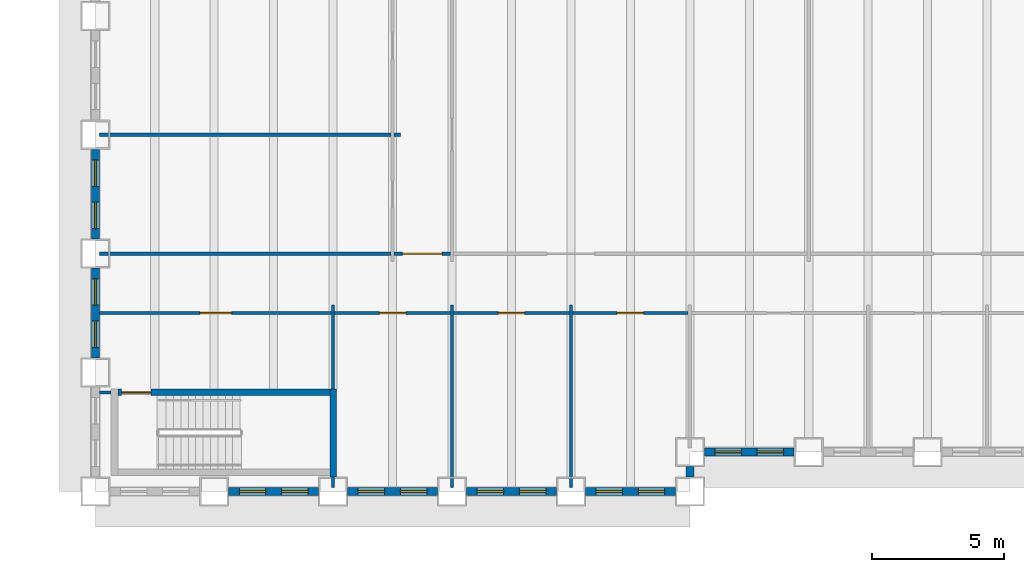
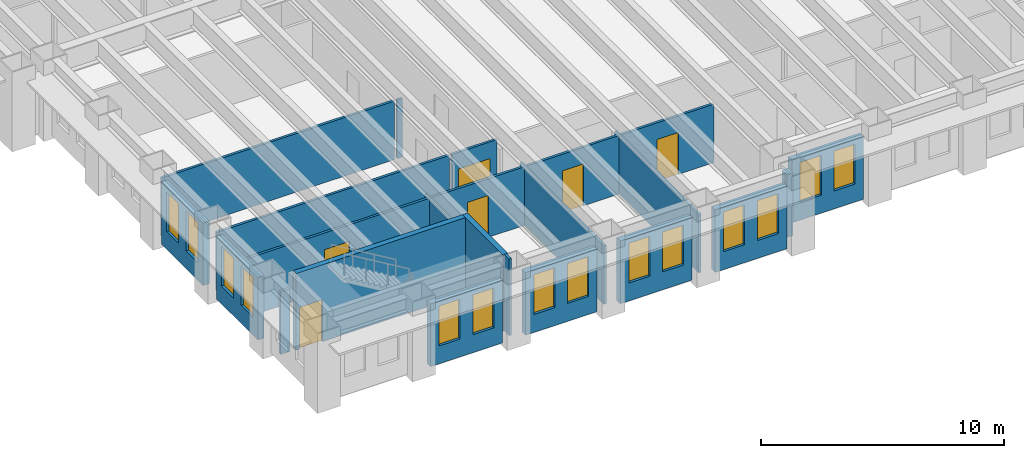
# One storey, part 3 of 16: 23 walls, 14 windows, 6 doors, 20 openings.
"""IFC4 building model written with IfcOpenShell, lengths in metres."""

from ifc_helpers import new_model, si_unit, direction, frame, frame_2d, origin, place, context, subcontext, project, spatial, rectangle, extrude, material, layer, layer_set, type_object, element, fill, save


model = new_model("IFC4")

# Units and contexts
model_context = context("Model", 3, precision=1e-05, world=origin(), true_north=direction((0.0, 1.0)))
body_context = subcontext(model_context, "Body", "Model", "MODEL_VIEW")
ifc_project = project(units=[si_unit("LENGTHUNIT", "METRE"), si_unit("AREAUNIT", "SQUARE_METRE"), si_unit("VOLUMEUNIT", "CUBIC_METRE"), si_unit("PLANEANGLEUNIT", "RADIAN"), si_unit("MASSUNIT", "GRAM", prefix="KILO")], contexts=[model_context])

# Site, building, storey
site_placement = place(None, origin())
site = spatial("IfcSite", under=ifc_project, at=site_placement, CompositionType="ELEMENT")
building_placement = place(site_placement, origin())
building = spatial("IfcBuilding", under=site, at=building_placement, Name="Sennacour Bend Tower", CompositionType="ELEMENT")
storey_placement = place(building_placement, frame((0.0, 0.0, 57.0)))
storey = spatial("IfcBuildingStorey", under=building, at=storey_placement, Name="L12", CompositionType="ELEMENT", Elevation=57.0)

# Walls
ifc_material_1 = material(Name="Plasterboard partition on steel studs", Category="steel")
ifc_layer_1 = layer(ifc_material_1, 0.1201171875, Name="Plasterboard partition on steel studs", Category="steel")
ifc_layer_set_1 = layer_set([ifc_layer_1], Name="Plasterboard partition on steel studs")
wall_type_1 = type_object("IfcWallType", Name="Partition 120", PredefinedType="PARTITIONING", material=ifc_layer_set_1)
wall_1_placement = place(storey_placement, frame((9.0, 0.14990234375, 0.0), z_axis=(0.0, 0.0, 1.0), x_axis=(0.0, 1.0, 0.0)))
element("IfcWall", 1, at=wall_1_placement, inside=storey, type_object=wall_type_1, Name="P-L12-W009a", PredefinedType="PARTITIONING", context=body_context, shape_type="SweptSolid", body=[
    extrude(rectangle(XDim=0.400146484375, YDim=0.1201171875, at=frame_2d((0.2001953125, 0.0))), origin(), (0.0, 0.0, 1.0), 3.85009765625),
])
wall_2_placement = place(storey_placement, frame((9.0, 3.875, 0.0), z_axis=(0.0, 0.0, 1.0), x_axis=(0.0, 1.0, 0.0)))
element("IfcWall", 2, at=wall_2_placement, inside=storey, type_object=wall_type_1, Name="P-L12-W011a", PredefinedType="PARTITIONING", context=body_context, shape_type="SweptSolid", body=[
    extrude(rectangle(XDim=3.175048828125, YDim=0.1201171875, at=frame_2d((1.58740234375, 0.0))), origin(), (0.0, 0.0, 1.0), 2.93798828125),
])
for number, where, z_axis, x_axis, name in (
    (3, (13.5, 0.14990234375, 0.0), (0.0, 0.0, 1.0), (0.0, 1.0, 0.0), "P-L12-W015a"),
    (4, (18.0, 0.14990234375, 0.0), (0.0, 0.0, 1.0), (0.0, 1.0, 0.0), "P-L12-W020a"),
):
    element("IfcWall", number, at=place(storey_placement, frame(where, z_axis=z_axis, x_axis=x_axis)), inside=storey, type_object=wall_type_1, Name=name, PredefinedType="PARTITIONING", context=body_context, shape_type="SweptSolid", body=[
        extrude(rectangle(XDim=6.900146484375, YDim=0.1201171875, at=frame_2d((3.4501953125, 0.0))), origin(), (0.0, 0.0, 1.0), 2.93798828125),
    ])
wall_3_placement = place(storey_placement, frame((0.14990234375, 3.75, 0.0), z_axis=(0.0, 0.0, 1.0), x_axis=(1.0, 0.0, 0.0)))
element("IfcWall", 5, at=wall_3_placement, inside=storey, type_object=wall_type_1, Name="P-L12-W051a", PredefinedType="PARTITIONING", context=body_context, shape_type="SweptSolid", body=[
    extrude(rectangle(XDim=0.4501953125, YDim=0.1201171875, at=frame_2d((0.22509765625, 0.0))), origin(), (0.0, 0.0, 1.0), 3.14404296875),
])

# Wall, opening, door
wall_4_placement = place(storey_placement, frame((9.06005859375, 6.75, 0.0), z_axis=(0.0, 0.0, 1.0), x_axis=(1.0, 0.0, 0.0)))
wall_4 = element("IfcWall", 6, at=wall_4_placement, inside=storey, type_object=wall_type_1, Name="P-L12-W057ab", PredefinedType="PARTITIONING", context=body_context, shape_type="SweptSolid", body=[
    extrude(rectangle(XDim=4.3798828125, YDim=0.1201171875, at=frame_2d((2.18994140625, 0.0))), origin(), (0.0, 0.0, 1.0), 2.93798828125),
])
opening_1_placement = place(wall_4_placement, frame((1.68994140625, 0.0, 0.0)))
opening_1 = element("IfcOpeningElement", 7, at=opening_1_placement, cuts=wall_4, Name="Opening OD2", PredefinedType="OPENING", context=body_context, shape_type="SweptSolid", body=[
    extrude(rectangle(XDim=1.0, YDim=2.10009765625, at=frame_2d((0.5, 1.050048828125))), frame((0.0, 0.070068359375, 0.0), z_axis=(0.0, -1.0, 0.0), x_axis=(1.0, 0.0, 0.0)), (0.0, 0.0, 1.0), 0.14013671875),
])
ifc_material_2 = material(Name="Timber", Category="wood")
door_type_1 = type_object("IfcDoorType", Name="DR-OFFICE-1000", OperationType="NOTDEFINED", PredefinedType="DOOR", material=ifc_material_2)
door_1_placement = place(opening_1_placement, origin())
door_1 = element("IfcDoor", 8, at=door_1_placement, inside=storey, type_object=door_type_1, Name="Door", OperationType="SINGLE_SWING_LEFT", OverallHeight=2.10009765625, OverallWidth=1.0, PredefinedType="DOOR", context=body_context, shape_type="SweptSolid", body=[
    extrude(rectangle(XDim=1.0, YDim=2.10009765625, at=frame_2d((0.5, 1.050048828125))), frame((0.0, 0.02490234375, 0.0), z_axis=(0.0, -1.0, 0.0), x_axis=(1.0, 0.0, 0.0)), (0.0, 0.0, 1.0), 0.050048828125),
])
fill(opening_1, door_1)

wall_5_placement = place(storey_placement, frame((13.56005859375, 6.75, 0.0), z_axis=(0.0, 0.0, 1.0), x_axis=(1.0, 0.0, 0.0)))
wall_5 = element("IfcWall", 9, at=wall_5_placement, inside=storey, type_object=wall_type_1, Name="P-L12-W057ac", PredefinedType="PARTITIONING", context=body_context, shape_type="SweptSolid", body=[
    extrude(rectangle(XDim=4.3798828125, YDim=0.1201171875, at=frame_2d((2.18994140625, 0.0))), origin(), (0.0, 0.0, 1.0), 2.93798828125),
])
opening_2_placement = place(wall_5_placement, frame((1.68994140625, 0.0, 0.0)))
opening_2 = element("IfcOpeningElement", 10, at=opening_2_placement, cuts=wall_5, Name="Opening OD2", PredefinedType="OPENING", context=body_context, shape_type="SweptSolid", body=[
    extrude(rectangle(XDim=1.0, YDim=2.10009765625, at=frame_2d((0.5, 1.050048828125))), frame((0.0, 0.070068359375, 0.0), z_axis=(0.0, -1.0, 0.0), x_axis=(1.0, 0.0, 0.0)), (0.0, 0.0, 1.0), 0.14013671875),
])
door_2_placement = place(opening_2_placement, origin())
door_2 = element("IfcDoor", 11, at=door_2_placement, inside=storey, type_object=door_type_1, Name="Door", OperationType="SINGLE_SWING_LEFT", OverallHeight=2.10009765625, OverallWidth=1.0, PredefinedType="DOOR", context=body_context, shape_type="SweptSolid", body=[
    extrude(rectangle(XDim=1.0, YDim=2.10009765625, at=frame_2d((0.5, 1.050048828125))), frame((0.0, 0.02490234375, 0.0), z_axis=(0.0, -1.0, 0.0), x_axis=(1.0, 0.0, 0.0)), (0.0, 0.0, 1.0), 0.050048828125),
])
fill(opening_2, door_2)

wall_6_placement = place(storey_placement, frame((18.06005859375, 6.75, 0.0), z_axis=(0.0, 0.0, 1.0), x_axis=(1.0, 0.0, 0.0)))
wall_6 = element("IfcWall", 12, at=wall_6_placement, inside=storey, type_object=wall_type_1, Name="P-L12-W057ad", PredefinedType="PARTITIONING", context=body_context, shape_type="SweptSolid", body=[
    extrude(rectangle(XDim=4.3798828125, YDim=0.1201171875, at=frame_2d((2.18994140625, 0.0))), origin(), (0.0, 0.0, 1.0), 2.93798828125),
])
opening_3_placement = place(wall_6_placement, frame((1.68994140625, 0.0, 0.0)))
opening_3 = element("IfcOpeningElement", 13, at=opening_3_placement, cuts=wall_6, Name="Opening OD2", PredefinedType="OPENING", context=body_context, shape_type="SweptSolid", body=[
    extrude(rectangle(XDim=1.0, YDim=2.10009765625, at=frame_2d((0.5, 1.050048828125))), frame((0.0, 0.070068359375, 0.0), z_axis=(0.0, -1.0, 0.0), x_axis=(1.0, 0.0, 0.0)), (0.0, 0.0, 1.0), 0.14013671875),
])
door_3_placement = place(opening_3_placement, origin())
door_3 = element("IfcDoor", 14, at=door_3_placement, inside=storey, type_object=door_type_1, Name="Door", OperationType="SINGLE_SWING_LEFT", OverallHeight=2.10009765625, OverallWidth=1.0, PredefinedType="DOOR", context=body_context, shape_type="SweptSolid", body=[
    extrude(rectangle(XDim=1.0, YDim=2.10009765625, at=frame_2d((0.5, 1.050048828125))), frame((0.0, 0.02490234375, 0.0), z_axis=(0.0, -1.0, 0.0), x_axis=(1.0, 0.0, 0.0)), (0.0, 0.0, 1.0), 0.050048828125),
])
fill(opening_3, door_3)

# Walls
for number, where, z_axis, x_axis, name in (
    (15, (0.14990234375, 9.0, 0.0), (0.0, 0.0, 1.0), (1.0, 0.0, 0.0), "P-L12-W058aa"),
    (16, (0.14990234375, 13.5, 0.0), (0.0, 0.0, 1.0), (1.0, 0.0, 0.0), "P-L12-W061aa"),
):
    element("IfcWall", number, at=place(storey_placement, frame(where, z_axis=z_axis, x_axis=x_axis)), inside=storey, type_object=wall_type_1, Name=name, PredefinedType="PARTITIONING", context=body_context, shape_type="SweptSolid", body=[
        extrude(rectangle(XDim=11.0400390625, YDim=0.1201171875, at=frame_2d((5.52001953125, 0.0))), origin(), (0.0, 0.0, 1.0), 2.93798828125),
    ])
wall_7_placement = place(storey_placement, frame((11.31005859375, 13.5, 0.0), z_axis=(0.0, 0.0, 1.0), x_axis=(1.0, 0.0, 0.0)))
element("IfcWall", 17, at=wall_7_placement, inside=storey, type_object=wall_type_1, Name="P-L12-W061ab", PredefinedType="PARTITIONING", context=body_context, shape_type="SweptSolid", body=[
    extrude(rectangle(XDim=0.239990234375, YDim=0.1201171875, at=frame_2d((0.1201171875, 0.0))), origin(), (0.0, 0.0, 1.0), 2.93798828125),
])

# Wall, opening, door
ifc_layer_2 = layer(ifc_material_1, 0.1201171875, Name="Plasterboard partition on steel studs", Category="steel")
ifc_layer_set_2 = layer_set([ifc_layer_2], Name="Plasterboard partition on steel studs")
wall_type_2 = type_object("IfcWallType", Name="Partition 120 EI 30", PredefinedType="PARTITIONING", material=ifc_layer_set_2)
wall_8_placement = place(storey_placement, frame((0.14990234375, 6.75, 0.0), z_axis=(0.0, 0.0, 1.0), x_axis=(1.0, 0.0, 0.0)))
wall_8 = element("IfcWall", 18, at=wall_8_placement, inside=storey, type_object=wall_type_2, Name="P-L12-W057aa", PredefinedType="PARTITIONING", context=body_context, shape_type="SweptSolid", body=[
    extrude(rectangle(XDim=8.7900390625, YDim=0.1201171875, at=frame_2d((4.39501953125, 0.0))), origin(), (0.0, 0.0, 1.0), 2.93798828125),
])
opening_4_placement = place(wall_8_placement, frame((3.80517578125, 0.0, 0.0)))
opening_4 = element("IfcOpeningElement", 19, at=opening_4_placement, cuts=wall_8, Name="Opening KD2", PredefinedType="OPENING", context=body_context, shape_type="SweptSolid", body=[
    extrude(rectangle(XDim=1.199951171875, YDim=2.10009765625, at=frame_2d((0.60009765625, 1.050048828125))), frame((0.0, 0.070068359375, 0.0), z_axis=(0.0, -1.0, 0.0), x_axis=(1.0, 0.0, 0.0)), (0.0, 0.0, 1.0), 0.14013671875),
])
ifc_material_3 = material(Name="Painted steel", Category="steel")
door_type_2 = type_object("IfcDoorType", Name="DR-CORRIDOR-1200", OperationType="NOTDEFINED", PredefinedType="DOOR", material=ifc_material_3)
door_4_placement = place(opening_4_placement, origin())
door_4 = element("IfcDoor", 20, at=door_4_placement, inside=storey, type_object=door_type_2, Name="Door", OperationType="SINGLE_SWING_LEFT", OverallHeight=2.10009765625, OverallWidth=1.199951171875, PredefinedType="DOOR", context=body_context, shape_type="SweptSolid", body=[
    extrude(rectangle(XDim=1.199951171875, YDim=2.10009765625, at=frame_2d((0.60009765625, 1.050048828125))), frame((0.0, 0.02490234375, 0.0), z_axis=(0.0, -1.0, 0.0), x_axis=(1.0, 0.0, 0.0)), (0.0, 0.0, 1.0), 0.050048828125),
])
fill(opening_4, door_4)

wall_9_placement = place(storey_placement, frame((11.31005859375, 9.0, 0.0), z_axis=(0.0, 0.0, 1.0), x_axis=(1.0, 0.0, 0.0)))
wall_9 = element("IfcWall", 21, at=wall_9_placement, inside=storey, type_object=wall_type_2, Name="P-L12-W058ab", PredefinedType="PARTITIONING", context=body_context, shape_type="SweptSolid", body=[
    extrude(rectangle(XDim=2.1298828125, YDim=0.1201171875, at=frame_2d((1.06494140625, 0.0))), origin(), (0.0, 0.0, 1.0), 2.93798828125),
])
opening_5_placement = place(wall_9_placement, frame((0.31494140625, 0.0, 0.0)))
opening_5 = element("IfcOpeningElement", 22, at=opening_5_placement, cuts=wall_9, Name="Opening KD", PredefinedType="OPENING", context=body_context, shape_type="SweptSolid", body=[
    extrude(rectangle(XDim=1.5, YDim=2.10009765625, at=frame_2d((0.75, 1.050048828125))), frame((0.0, 0.070068359375, 0.0), z_axis=(0.0, -1.0, 0.0), x_axis=(1.0, 0.0, 0.0)), (0.0, 0.0, 1.0), 0.14013671875),
])
door_type_3 = type_object("IfcDoorType", Name="DR-CORRIDOR-1500", OperationType="NOTDEFINED", PredefinedType="DOOR", material=ifc_material_3)
door_5_placement = place(opening_5_placement, origin())
door_5 = element("IfcDoor", 23, at=door_5_placement, inside=storey, type_object=door_type_3, Name="Door", OperationType="SINGLE_SWING_LEFT", OverallHeight=2.10009765625, OverallWidth=1.5, PredefinedType="DOOR", context=body_context, shape_type="SweptSolid", body=[
    extrude(rectangle(XDim=1.5, YDim=2.10009765625, at=frame_2d((0.75, 1.050048828125))), frame((0.0, 0.02490234375, 0.0), z_axis=(0.0, -1.0, 0.0), x_axis=(1.0, 0.0, 0.0)), (0.0, 0.0, 1.0), 0.050048828125),
])
fill(opening_5, door_5)

# Wall, openings, windows
ifc_material_4 = material(Name="Warm limestone cladding", Category="masonry")
ifc_layer_3 = layer(ifc_material_4, 0.050048828125, Name="Warm limestone cladding", Category="masonry")
ifc_material_5 = material(Name="Precast concrete C40/50", Category="concrete")
ifc_layer_4 = layer(ifc_material_5, 0.25, Name="Precast concrete C40/50", Category="concrete")
ifc_layer_set_3 = layer_set([ifc_layer_3, ifc_layer_4], Name="Precast concrete C40/50 with limestone cladding")
wall_type_3 = type_object("IfcWallType", Name="STONE-CLAD PRECAST SPANDREL 300", PredefinedType="STANDARD", material=ifc_layer_set_3)
wall_10_placement = place(storey_placement, frame((5.050048828125, 0.0, 0.0), z_axis=(0.0, 0.0, 1.0), x_axis=(1.0, 0.0, 0.0)))
wall_10 = element("IfcWall", 24, at=wall_10_placement, inside=storey, type_object=wall_type_3, Name="Stone spandrel and pier wall L12 00.01", PredefinedType="STANDARD", context=body_context, shape_type="SweptSolid", body=[
    extrude(rectangle(XDim=3.39990234375, YDim=0.300048828125, at=frame_2d((1.699951171875, 0.0))), origin(), (0.0, 0.0, 1.0), 3.14404296875),
])
opening_6_placement = place(wall_10_placement, frame((0.39990234375, 0.0, 0.89990234375)))
opening_6 = element("IfcOpeningElement", 25, at=opening_6_placement, cuts=wall_10, Name="Opening W8", PredefinedType="OPENING", context=body_context, shape_type="SweptSolid", body=[
    extrude(rectangle(XDim=1.0, YDim=2.0, at=frame_2d((0.5, 1.0))), frame((0.0, 0.16015625, 0.0), z_axis=(0.0, -1.0, 0.0), x_axis=(1.0, 0.0, 0.0)), (0.0, 0.0, 1.0), 0.320068359375),
])
opening_7_placement = place(wall_10_placement, frame((2.0, 0.0, 0.89990234375)))
opening_7 = element("IfcOpeningElement", 26, at=opening_7_placement, cuts=wall_10, Name="Opening W8", PredefinedType="OPENING", context=body_context, shape_type="SweptSolid", body=[
    extrude(rectangle(XDim=1.0, YDim=2.0, at=frame_2d((0.5, 1.0))), frame((0.0, 0.16015625, 0.0), z_axis=(0.0, -1.0, 0.0), x_axis=(1.0, 0.0, 0.0)), (0.0, 0.0, 1.0), 0.320068359375),
])
ifc_material_6 = material(Name="Clear low-emissivity glass", Category="glass")
window_type = type_object("IfcWindowType", Name="WIN-RIBBON-1000x2000", PartitioningType="SINGLE_PANEL", PredefinedType="WINDOW", material=ifc_material_6)
window_1_placement = place(opening_6_placement, origin())
window_1 = element("IfcWindow", 27, at=window_1_placement, inside=storey, type_object=window_type, Name="Ribbon window L12 00.01.0", OverallHeight=2.0, OverallWidth=1.0, PartitioningType="SINGLE_PANEL", PredefinedType="WINDOW", context=body_context, shape_type="SweptSolid", body=[
    extrude(rectangle(XDim=1.0, YDim=2.0, at=frame_2d((0.5, 1.0))), frame((0.0, 0.030029296875, 0.0), z_axis=(0.0, -1.0, 0.0), x_axis=(1.0, 0.0, 0.0)), (0.0, 0.0, 1.0), 0.06005859375),
])
fill(opening_6, window_1)
window_2_placement = place(opening_7_placement, origin())
window_2 = element("IfcWindow", 28, at=window_2_placement, inside=storey, type_object=window_type, Name="Ribbon window L12 00.01.1", OverallHeight=2.0, OverallWidth=1.0, PartitioningType="SINGLE_PANEL", PredefinedType="WINDOW", context=body_context, shape_type="SweptSolid", body=[
    extrude(rectangle(XDim=1.0, YDim=2.0, at=frame_2d((0.5, 1.0))), frame((0.0, 0.030029296875, 0.0), z_axis=(0.0, -1.0, 0.0), x_axis=(1.0, 0.0, 0.0)), (0.0, 0.0, 1.0), 0.06005859375),
])
fill(opening_7, window_2)

wall_11_placement = place(storey_placement, frame((9.550048828125, 0.0, 0.0), z_axis=(0.0, 0.0, 1.0), x_axis=(1.0, 0.0, 0.0)))
wall_11 = element("IfcWall", 29, at=wall_11_placement, inside=storey, type_object=wall_type_3, Name="Stone spandrel and pier wall L12 00.02", PredefinedType="STANDARD", context=body_context, shape_type="SweptSolid", body=[
    extrude(rectangle(XDim=3.39990234375, YDim=0.300048828125, at=frame_2d((1.699951171875, 0.0))), origin(), (0.0, 0.0, 1.0), 3.14404296875),
])
opening_8_placement = place(wall_11_placement, frame((0.39990234375, 0.0, 0.89990234375)))
opening_8 = element("IfcOpeningElement", 30, at=opening_8_placement, cuts=wall_11, Name="Opening W8", PredefinedType="OPENING", context=body_context, shape_type="SweptSolid", body=[
    extrude(rectangle(XDim=1.0, YDim=2.0, at=frame_2d((0.5, 1.0))), frame((0.0, 0.16015625, 0.0), z_axis=(0.0, -1.0, 0.0), x_axis=(1.0, 0.0, 0.0)), (0.0, 0.0, 1.0), 0.320068359375),
])
opening_9_placement = place(wall_11_placement, frame((2.0, 0.0, 0.89990234375)))
opening_9 = element("IfcOpeningElement", 31, at=opening_9_placement, cuts=wall_11, Name="Opening W8", PredefinedType="OPENING", context=body_context, shape_type="SweptSolid", body=[
    extrude(rectangle(XDim=1.0, YDim=2.0, at=frame_2d((0.5, 1.0))), frame((0.0, 0.16015625, 0.0), z_axis=(0.0, -1.0, 0.0), x_axis=(1.0, 0.0, 0.0)), (0.0, 0.0, 1.0), 0.320068359375),
])
window_3_placement = place(opening_8_placement, origin())
window_3 = element("IfcWindow", 32, at=window_3_placement, inside=storey, type_object=window_type, Name="Ribbon window L12 00.02.0", OverallHeight=2.0, OverallWidth=1.0, PartitioningType="SINGLE_PANEL", PredefinedType="WINDOW", context=body_context, shape_type="SweptSolid", body=[
    extrude(rectangle(XDim=1.0, YDim=2.0, at=frame_2d((0.5, 1.0))), frame((0.0, 0.030029296875, 0.0), z_axis=(0.0, -1.0, 0.0), x_axis=(1.0, 0.0, 0.0)), (0.0, 0.0, 1.0), 0.06005859375),
])
fill(opening_8, window_3)
window_4_placement = place(opening_9_placement, origin())
window_4 = element("IfcWindow", 33, at=window_4_placement, inside=storey, type_object=window_type, Name="Ribbon window L12 00.02.1", OverallHeight=2.0, OverallWidth=1.0, PartitioningType="SINGLE_PANEL", PredefinedType="WINDOW", context=body_context, shape_type="SweptSolid", body=[
    extrude(rectangle(XDim=1.0, YDim=2.0, at=frame_2d((0.5, 1.0))), frame((0.0, 0.030029296875, 0.0), z_axis=(0.0, -1.0, 0.0), x_axis=(1.0, 0.0, 0.0)), (0.0, 0.0, 1.0), 0.06005859375),
])
fill(opening_9, window_4)

wall_12_placement = place(storey_placement, frame((14.050048828125, 0.0, 0.0), z_axis=(0.0, 0.0, 1.0), x_axis=(1.0, 0.0, 0.0)))
wall_12 = element("IfcWall", 34, at=wall_12_placement, inside=storey, type_object=wall_type_3, Name="Stone spandrel and pier wall L12 00.03", PredefinedType="STANDARD", context=body_context, shape_type="SweptSolid", body=[
    extrude(rectangle(XDim=3.39990234375, YDim=0.300048828125, at=frame_2d((1.699951171875, 0.0))), origin(), (0.0, 0.0, 1.0), 3.14404296875),
])
opening_10_placement = place(wall_12_placement, frame((0.39990234375, 0.0, 0.89990234375)))
opening_10 = element("IfcOpeningElement", 35, at=opening_10_placement, cuts=wall_12, Name="Opening W8", PredefinedType="OPENING", context=body_context, shape_type="SweptSolid", body=[
    extrude(rectangle(XDim=1.0, YDim=2.0, at=frame_2d((0.5, 1.0))), frame((0.0, 0.16015625, 0.0), z_axis=(0.0, -1.0, 0.0), x_axis=(1.0, 0.0, 0.0)), (0.0, 0.0, 1.0), 0.320068359375),
])
opening_11_placement = place(wall_12_placement, frame((2.0, 0.0, 0.89990234375)))
opening_11 = element("IfcOpeningElement", 36, at=opening_11_placement, cuts=wall_12, Name="Opening W8", PredefinedType="OPENING", context=body_context, shape_type="SweptSolid", body=[
    extrude(rectangle(XDim=1.0, YDim=2.0, at=frame_2d((0.5, 1.0))), frame((0.0, 0.16015625, 0.0), z_axis=(0.0, -1.0, 0.0), x_axis=(1.0, 0.0, 0.0)), (0.0, 0.0, 1.0), 0.320068359375),
])
window_5_placement = place(opening_10_placement, origin())
window_5 = element("IfcWindow", 37, at=window_5_placement, inside=storey, type_object=window_type, Name="Ribbon window L12 00.03.0", OverallHeight=2.0, OverallWidth=1.0, PartitioningType="SINGLE_PANEL", PredefinedType="WINDOW", context=body_context, shape_type="SweptSolid", body=[
    extrude(rectangle(XDim=1.0, YDim=2.0, at=frame_2d((0.5, 1.0))), frame((0.0, 0.030029296875, 0.0), z_axis=(0.0, -1.0, 0.0), x_axis=(1.0, 0.0, 0.0)), (0.0, 0.0, 1.0), 0.06005859375),
])
fill(opening_10, window_5)
window_6_placement = place(opening_11_placement, origin())
window_6 = element("IfcWindow", 38, at=window_6_placement, inside=storey, type_object=window_type, Name="Ribbon window L12 00.03.1", OverallHeight=2.0, OverallWidth=1.0, PartitioningType="SINGLE_PANEL", PredefinedType="WINDOW", context=body_context, shape_type="SweptSolid", body=[
    extrude(rectangle(XDim=1.0, YDim=2.0, at=frame_2d((0.5, 1.0))), frame((0.0, 0.030029296875, 0.0), z_axis=(0.0, -1.0, 0.0), x_axis=(1.0, 0.0, 0.0)), (0.0, 0.0, 1.0), 0.06005859375),
])
fill(opening_11, window_6)

wall_13_placement = place(storey_placement, frame((18.550048828125, 0.0, 0.0), z_axis=(0.0, 0.0, 1.0), x_axis=(1.0, 0.0, 0.0)))
wall_13 = element("IfcWall", 39, at=wall_13_placement, inside=storey, type_object=wall_type_3, Name="Stone spandrel and pier wall L12 00.04", PredefinedType="STANDARD", context=body_context, shape_type="SweptSolid", body=[
    extrude(rectangle(XDim=3.39990234375, YDim=0.300048828125, at=frame_2d((1.699951171875, 0.0))), origin(), (0.0, 0.0, 1.0), 3.14404296875),
])
opening_12_placement = place(wall_13_placement, frame((0.39990234375, 0.0, 0.89990234375)))
opening_12 = element("IfcOpeningElement", 40, at=opening_12_placement, cuts=wall_13, Name="Opening W8", PredefinedType="OPENING", context=body_context, shape_type="SweptSolid", body=[
    extrude(rectangle(XDim=1.0, YDim=2.0, at=frame_2d((0.5, 1.0))), frame((0.0, 0.16015625, 0.0), z_axis=(0.0, -1.0, 0.0), x_axis=(1.0, 0.0, 0.0)), (0.0, 0.0, 1.0), 0.320068359375),
])
opening_13_placement = place(wall_13_placement, frame((2.0, 0.0, 0.89990234375)))
opening_13 = element("IfcOpeningElement", 41, at=opening_13_placement, cuts=wall_13, Name="Opening W8", PredefinedType="OPENING", context=body_context, shape_type="SweptSolid", body=[
    extrude(rectangle(XDim=1.0, YDim=2.0, at=frame_2d((0.5, 1.0))), frame((0.0, 0.16015625, 0.0), z_axis=(0.0, -1.0, 0.0), x_axis=(1.0, 0.0, 0.0)), (0.0, 0.0, 1.0), 0.320068359375),
])
window_7_placement = place(opening_12_placement, origin())
window_7 = element("IfcWindow", 42, at=window_7_placement, inside=storey, type_object=window_type, Name="Ribbon window L12 00.04.0", OverallHeight=2.0, OverallWidth=1.0, PartitioningType="SINGLE_PANEL", PredefinedType="WINDOW", context=body_context, shape_type="SweptSolid", body=[
    extrude(rectangle(XDim=1.0, YDim=2.0, at=frame_2d((0.5, 1.0))), frame((0.0, 0.030029296875, 0.0), z_axis=(0.0, -1.0, 0.0), x_axis=(1.0, 0.0, 0.0)), (0.0, 0.0, 1.0), 0.06005859375),
])
fill(opening_12, window_7)
window_8_placement = place(opening_13_placement, origin())
window_8 = element("IfcWindow", 43, at=window_8_placement, inside=storey, type_object=window_type, Name="Ribbon window L12 00.04.1", OverallHeight=2.0, OverallWidth=1.0, PartitioningType="SINGLE_PANEL", PredefinedType="WINDOW", context=body_context, shape_type="SweptSolid", body=[
    extrude(rectangle(XDim=1.0, YDim=2.0, at=frame_2d((0.5, 1.0))), frame((0.0, 0.030029296875, 0.0), z_axis=(0.0, -1.0, 0.0), x_axis=(1.0, 0.0, 0.0)), (0.0, 0.0, 1.0), 0.06005859375),
])
fill(opening_13, window_8)

# Wall
wall_14_placement = place(storey_placement, frame((22.5, 0.550048828125, 0.0), z_axis=(0.0, 0.0, 1.0), x_axis=(0.0, 1.0, 0.0)))
element("IfcWall", 44, at=wall_14_placement, inside=storey, type_object=wall_type_3, Name="Stone spandrel and pier wall L12 01.00", PredefinedType="STANDARD", context=body_context, shape_type="SweptSolid", body=[
    extrude(rectangle(XDim=0.39990234375, YDim=0.300048828125, at=frame_2d((0.199951171875, 0.0))), origin(), (0.0, 0.0, 1.0), 3.14404296875),
])

# Wall, openings, windows
wall_15_placement = place(storey_placement, frame((23.050048828125, 1.5, 0.0), z_axis=(0.0, 0.0, 1.0), x_axis=(1.0, 0.0, 0.0)))
wall_15 = element("IfcWall", 45, at=wall_15_placement, inside=storey, type_object=wall_type_3, Name="Stone spandrel and pier wall L12 02.00", PredefinedType="STANDARD", context=body_context, shape_type="SweptSolid", body=[
    extrude(rectangle(XDim=3.39990234375, YDim=0.300048828125, at=frame_2d((1.699951171875, 0.0))), origin(), (0.0, 0.0, 1.0), 3.14404296875),
])
opening_14_placement = place(wall_15_placement, frame((0.39990234375, 0.0, 0.89990234375)))
opening_14 = element("IfcOpeningElement", 46, at=opening_14_placement, cuts=wall_15, Name="Opening W8", PredefinedType="OPENING", context=body_context, shape_type="SweptSolid", body=[
    extrude(rectangle(XDim=1.0, YDim=2.0, at=frame_2d((0.5, 1.0))), frame((0.0, 0.16015625, 0.0), z_axis=(0.0, -1.0, 0.0), x_axis=(1.0, 0.0, 0.0)), (0.0, 0.0, 1.0), 0.320068359375),
])
opening_15_placement = place(wall_15_placement, frame((2.0, 0.0, 0.89990234375)))
opening_15 = element("IfcOpeningElement", 47, at=opening_15_placement, cuts=wall_15, Name="Opening W8", PredefinedType="OPENING", context=body_context, shape_type="SweptSolid", body=[
    extrude(rectangle(XDim=1.0, YDim=2.0, at=frame_2d((0.5, 1.0))), frame((0.0, 0.16015625, 0.0), z_axis=(0.0, -1.0, 0.0), x_axis=(1.0, 0.0, 0.0)), (0.0, 0.0, 1.0), 0.320068359375),
])
window_9_placement = place(opening_14_placement, origin())
window_9 = element("IfcWindow", 48, at=window_9_placement, inside=storey, type_object=window_type, Name="Ribbon window L12 02.00.0", OverallHeight=2.0, OverallWidth=1.0, PartitioningType="SINGLE_PANEL", PredefinedType="WINDOW", context=body_context, shape_type="SweptSolid", body=[
    extrude(rectangle(XDim=1.0, YDim=2.0, at=frame_2d((0.5, 1.0))), frame((0.0, 0.030029296875, 0.0), z_axis=(0.0, -1.0, 0.0), x_axis=(1.0, 0.0, 0.0)), (0.0, 0.0, 1.0), 0.06005859375),
])
fill(opening_14, window_9)
window_10_placement = place(opening_15_placement, origin())
window_10 = element("IfcWindow", 49, at=window_10_placement, inside=storey, type_object=window_type, Name="Ribbon window L12 02.00.1", OverallHeight=2.0, OverallWidth=1.0, PartitioningType="SINGLE_PANEL", PredefinedType="WINDOW", context=body_context, shape_type="SweptSolid", body=[
    extrude(rectangle(XDim=1.0, YDim=2.0, at=frame_2d((0.5, 1.0))), frame((0.0, 0.030029296875, 0.0), z_axis=(0.0, -1.0, 0.0), x_axis=(1.0, 0.0, 0.0)), (0.0, 0.0, 1.0), 0.06005859375),
])
fill(opening_15, window_10)

wall_16_placement = place(storey_placement, frame((0.0, 12.949951171875, 0.0), z_axis=(0.0, 0.0, 1.0), x_axis=(0.0, -1.0, 0.0)))
wall_16 = element("IfcWall", 50, at=wall_16_placement, inside=storey, type_object=wall_type_3, Name="Stone spandrel and pier wall L12 23.02", PredefinedType="STANDARD", context=body_context, shape_type="SweptSolid", body=[
    extrude(rectangle(XDim=3.39990234375, YDim=0.300048828125, at=frame_2d((1.699951171875, 0.0))), origin(), (0.0, 0.0, 1.0), 3.14404296875),
])
opening_16_placement = place(wall_16_placement, frame((0.39990234375, 0.0, 0.89990234375)))
opening_16 = element("IfcOpeningElement", 51, at=opening_16_placement, cuts=wall_16, Name="Opening W8", PredefinedType="OPENING", context=body_context, shape_type="SweptSolid", body=[
    extrude(rectangle(XDim=1.0, YDim=2.0, at=frame_2d((0.5, 1.0))), frame((0.0, 0.16015625, 0.0), z_axis=(0.0, -1.0, 0.0), x_axis=(1.0, 0.0, 0.0)), (0.0, 0.0, 1.0), 0.320068359375),
])
opening_17_placement = place(wall_16_placement, frame((2.0, 0.0, 0.89990234375)))
opening_17 = element("IfcOpeningElement", 52, at=opening_17_placement, cuts=wall_16, Name="Opening W8", PredefinedType="OPENING", context=body_context, shape_type="SweptSolid", body=[
    extrude(rectangle(XDim=1.0, YDim=2.0, at=frame_2d((0.5, 1.0))), frame((0.0, 0.16015625, 0.0), z_axis=(0.0, -1.0, 0.0), x_axis=(1.0, 0.0, 0.0)), (0.0, 0.0, 1.0), 0.320068359375),
])
window_11_placement = place(opening_16_placement, origin())
window_11 = element("IfcWindow", 53, at=window_11_placement, inside=storey, type_object=window_type, Name="Ribbon window L12 23.02.0", OverallHeight=2.0, OverallWidth=1.0, PartitioningType="SINGLE_PANEL", PredefinedType="WINDOW", context=body_context, shape_type="SweptSolid", body=[
    extrude(rectangle(XDim=1.0, YDim=2.0, at=frame_2d((0.5, 1.0))), frame((0.0, 0.030029296875, 0.0), z_axis=(0.0, -1.0, 0.0), x_axis=(1.0, 0.0, 0.0)), (0.0, 0.0, 1.0), 0.06005859375),
])
fill(opening_16, window_11)
window_12_placement = place(opening_17_placement, origin())
window_12 = element("IfcWindow", 54, at=window_12_placement, inside=storey, type_object=window_type, Name="Ribbon window L12 23.02.1", OverallHeight=2.0, OverallWidth=1.0, PartitioningType="SINGLE_PANEL", PredefinedType="WINDOW", context=body_context, shape_type="SweptSolid", body=[
    extrude(rectangle(XDim=1.0, YDim=2.0, at=frame_2d((0.5, 1.0))), frame((0.0, 0.030029296875, 0.0), z_axis=(0.0, -1.0, 0.0), x_axis=(1.0, 0.0, 0.0)), (0.0, 0.0, 1.0), 0.06005859375),
])
fill(opening_17, window_12)

wall_17_placement = place(storey_placement, frame((0.0, 8.449951171875, 0.0), z_axis=(0.0, 0.0, 1.0), x_axis=(0.0, -1.0, 0.0)))
wall_17 = element("IfcWall", 55, at=wall_17_placement, inside=storey, type_object=wall_type_3, Name="Stone spandrel and pier wall L12 23.03", PredefinedType="STANDARD", context=body_context, shape_type="SweptSolid", body=[
    extrude(rectangle(XDim=3.39990234375, YDim=0.300048828125, at=frame_2d((1.699951171875, 0.0))), origin(), (0.0, 0.0, 1.0), 3.14404296875),
])
opening_18_placement = place(wall_17_placement, frame((0.39990234375, 0.0, 0.89990234375)))
opening_18 = element("IfcOpeningElement", 56, at=opening_18_placement, cuts=wall_17, Name="Opening W8", PredefinedType="OPENING", context=body_context, shape_type="SweptSolid", body=[
    extrude(rectangle(XDim=1.0, YDim=2.0, at=frame_2d((0.5, 1.0))), frame((0.0, 0.16015625, 0.0), z_axis=(0.0, -1.0, 0.0), x_axis=(1.0, 0.0, 0.0)), (0.0, 0.0, 1.0), 0.320068359375),
])
opening_19_placement = place(wall_17_placement, frame((2.0, 0.0, 0.89990234375)))
opening_19 = element("IfcOpeningElement", 57, at=opening_19_placement, cuts=wall_17, Name="Opening W8", PredefinedType="OPENING", context=body_context, shape_type="SweptSolid", body=[
    extrude(rectangle(XDim=1.0, YDim=2.0, at=frame_2d((0.5, 1.0))), frame((0.0, 0.16015625, 0.0), z_axis=(0.0, -1.0, 0.0), x_axis=(1.0, 0.0, 0.0)), (0.0, 0.0, 1.0), 0.320068359375),
])
window_13_placement = place(opening_18_placement, origin())
window_13 = element("IfcWindow", 58, at=window_13_placement, inside=storey, type_object=window_type, Name="Ribbon window L12 23.03.0", OverallHeight=2.0, OverallWidth=1.0, PartitioningType="SINGLE_PANEL", PredefinedType="WINDOW", context=body_context, shape_type="SweptSolid", body=[
    extrude(rectangle(XDim=1.0, YDim=2.0, at=frame_2d((0.5, 1.0))), frame((0.0, 0.030029296875, 0.0), z_axis=(0.0, -1.0, 0.0), x_axis=(1.0, 0.0, 0.0)), (0.0, 0.0, 1.0), 0.06005859375),
])
fill(opening_18, window_13)
window_14_placement = place(opening_19_placement, origin())
window_14 = element("IfcWindow", 59, at=window_14_placement, inside=storey, type_object=window_type, Name="Ribbon window L12 23.03.1", OverallHeight=2.0, OverallWidth=1.0, PartitioningType="SINGLE_PANEL", PredefinedType="WINDOW", context=body_context, shape_type="SweptSolid", body=[
    extrude(rectangle(XDim=1.0, YDim=2.0, at=frame_2d((0.5, 1.0))), frame((0.0, 0.030029296875, 0.0), z_axis=(0.0, -1.0, 0.0), x_axis=(1.0, 0.0, 0.0)), (0.0, 0.0, 1.0), 0.06005859375),
])
fill(opening_19, window_14)

# Wall
ifc_material_7 = material(Name="Concrete C60/75", Category="concrete")
ifc_layer_5 = layer(ifc_material_7, 0.25, Name="Concrete C60/75", Category="concrete")
ifc_layer_set_4 = layer_set([ifc_layer_5], Name="Concrete C60/75")
wall_type_4 = type_object("IfcWallType", Name="Stair wall 250", PredefinedType="SHEAR", material=ifc_layer_set_4)
wall_18_placement = place(storey_placement, frame((9.0, 0.550048828125, 0.0), z_axis=(0.0, 0.0, 1.0), x_axis=(0.0, 1.0, 0.0)))
element("IfcWall", 60, at=wall_18_placement, inside=storey, type_object=wall_type_4, Name="P-L12-W010", PredefinedType="SHEAR", context=body_context, shape_type="SweptSolid", body=[
    extrude(rectangle(XDim=3.324951171875, YDim=0.25, at=frame_2d((1.66259765625, 0.0))), origin(), (0.0, 0.0, 1.0), 3.85009765625),
])

# Wall, opening, door
wall_19_placement = place(storey_placement, frame((0.85009765625, 3.75, 0.0), z_axis=(0.0, 0.0, 1.0), x_axis=(1.0, 0.0, 0.0)))
wall_19 = element("IfcWall", 61, at=wall_19_placement, inside=storey, type_object=wall_type_4, Name="P-L12-W052", PredefinedType="SHEAR", context=body_context, shape_type="SweptSolid", body=[
    extrude(rectangle(XDim=8.02490234375, YDim=0.25, at=frame_2d((4.012451171875, 0.0))), origin(), (0.0, 0.0, 1.0), 3.85009765625),
])
opening_20_placement = place(wall_19_placement, frame((0.14990234375, 0.0, 0.0)))
opening_20 = element("IfcOpeningElement", 62, at=opening_20_placement, cuts=wall_19, Name="Opening SD", PredefinedType="OPENING", context=body_context, shape_type="SweptSolid", body=[
    extrude(rectangle(XDim=1.10009765625, YDim=2.10009765625, at=frame_2d((0.550048828125, 1.050048828125))), frame((0.0, 0.135009765625, 0.0), z_axis=(0.0, -1.0, 0.0), x_axis=(1.0, 0.0, 0.0)), (0.0, 0.0, 1.0), 0.27001953125),
])
door_type_4 = type_object("IfcDoorType", Name="DR-STAIR-1100", OperationType="NOTDEFINED", PredefinedType="DOOR", material=ifc_material_3)
door_6_placement = place(opening_20_placement, origin())
door_6 = element("IfcDoor", 63, at=door_6_placement, inside=storey, type_object=door_type_4, Name="Door", OperationType="SINGLE_SWING_LEFT", OverallHeight=2.10009765625, OverallWidth=1.10009765625, PredefinedType="DOOR", context=body_context, shape_type="SweptSolid", body=[
    extrude(rectangle(XDim=1.10009765625, YDim=2.10009765625, at=frame_2d((0.550048828125, 1.050048828125))), frame((0.0, 0.02490234375, 0.0), z_axis=(0.0, -1.0, 0.0), x_axis=(1.0, 0.0, 0.0)), (0.0, 0.0, 1.0), 0.050048828125),
])
fill(opening_20, door_6)

save(model, "model.ifc")
